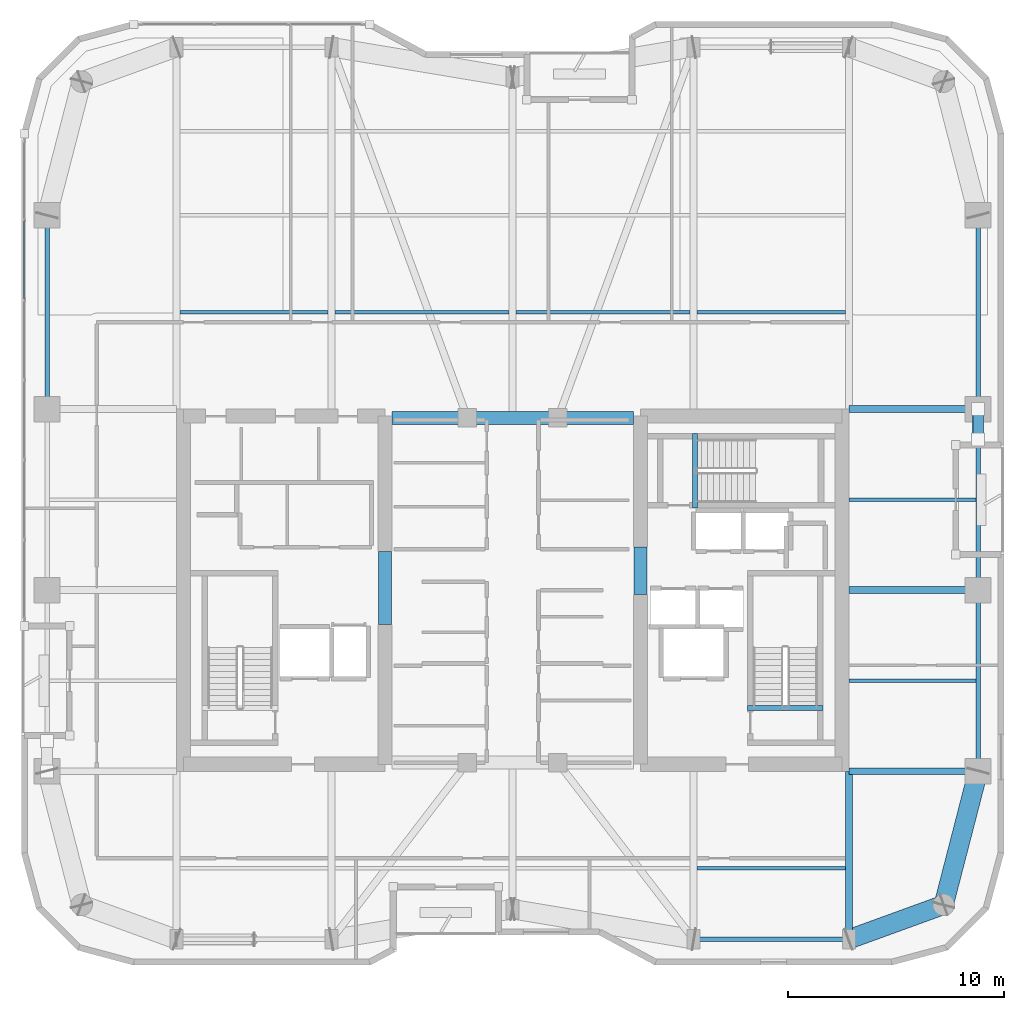
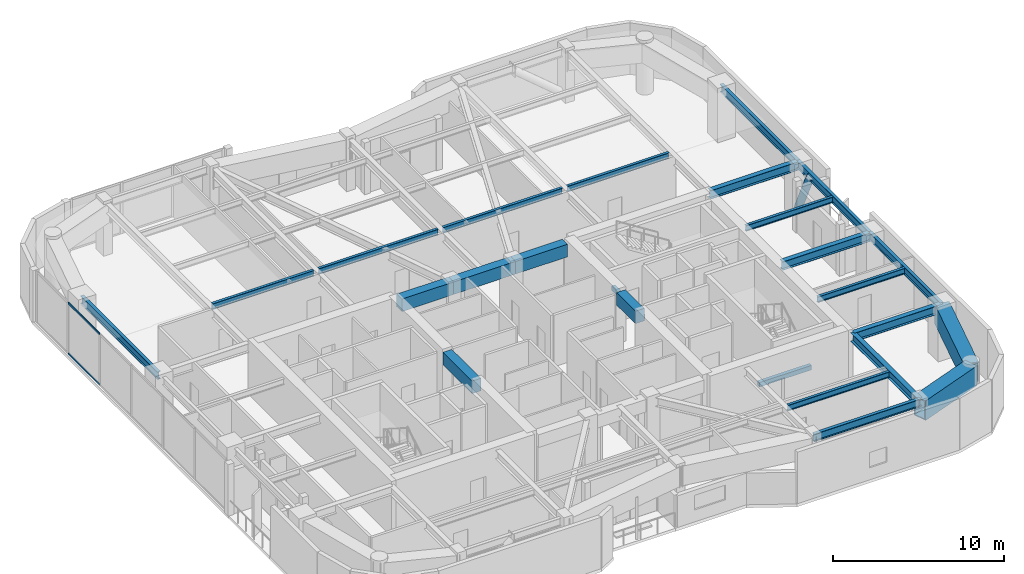
# One storey, part 5 of 21: 25 beams, 3 members, 1 element without a shape of its own.
"""IFC4 building model written with IfcOpenShell, lengths in metres."""

from ifc_helpers import new_model, si_unit, direction, frame, origin, origin_2d, place, context, subcontext, project, spatial, rectangle, hollow_rectangle, hollow_circle, i_section, extrude, material, layer, layer_set, material_profile, profile_set, type_object, element, aggregate, save


model = new_model("IFC4")

# Units and contexts
model_context = context("Model", 3, precision=1e-05, world=origin(), true_north=direction((0.0, 1.0)))
body_context = subcontext(model_context, "Body", "Model", "MODEL_VIEW")
ifc_project = project(units=[si_unit("LENGTHUNIT", "METRE"), si_unit("AREAUNIT", "SQUARE_METRE"), si_unit("VOLUMEUNIT", "CUBIC_METRE"), si_unit("PLANEANGLEUNIT", "RADIAN"), si_unit("MASSUNIT", "GRAM", prefix="KILO")], contexts=[model_context])

# Site, building, storey
site_placement = place(None, origin())
site = spatial("IfcSite", under=ifc_project, at=site_placement, CompositionType="ELEMENT")
building_placement = place(site_placement, origin())
building = spatial("IfcBuilding", under=site, at=building_placement, Name="Kiyonajd Concourse Tower", CompositionType="ELEMENT")
storey_placement = place(building_placement, frame((0.0, 0.0, 227.10009765625)))
storey = spatial("IfcBuildingStorey", under=building, at=storey_placement, Name="L57", CompositionType="ELEMENT", Elevation=227.10009765625)

# Beams
ifc_material_1 = material(Name="Concrete C60/75", Category="concrete")
ifc_material_profile_1 = material_profile(ifc_material_1, rectangle(XDim=0.60009765625, YDim=0.89990234375, at=origin_2d()), Name="RCBM-600x900")
ifc_profile_set_1 = profile_set([ifc_material_profile_1], Name="Concrete C60/75")
beam_type_1 = type_object("IfcBeamType", Name="BM-COUP-900", PredefinedType="LINTEL", material=ifc_profile_set_1)
beam_1_placement = place(storey_placement, frame((42.39990234375, 44.0, 3.22998046875), z_axis=(1.0, 0.0, 0.0), x_axis=(0.0, 1.0, 0.0)))
element("IfcBeam", 1, at=beam_1_placement, inside=storey, type_object=beam_type_1, Name="L57 Core Coupling Beam N1", PredefinedType="LINTEL", context=body_context, shape_type="SweptSolid", body=[
    extrude(rectangle(XDim=0.60009765625, YDim=0.89990234375, at=origin_2d()), origin(), (0.0, 0.0, 1.0), 3.5),
])
beam_2_placement = place(storey_placement, frame((45.89990234375, 44.0, 3.22998046875), z_axis=(1.0, 0.0, 0.0), x_axis=(0.0, 1.0, 0.0)))
element("IfcBeam", 2, at=beam_2_placement, inside=storey, type_object=beam_type_1, Name="L57 Core Coupling Beam N2", PredefinedType="LINTEL", context=body_context, shape_type="SweptSolid", body=[
    extrude(rectangle(XDim=0.60009765625, YDim=0.89990234375, at=origin_2d()), origin(), (0.0, 0.0, 1.0), 4.2001953125),
])
beam_3_placement = place(storey_placement, frame((50.10009765625, 44.0, 3.22998046875), z_axis=(1.0, 0.0, 0.0), x_axis=(0.0, 1.0, 0.0)))
element("IfcBeam", 3, at=beam_3_placement, inside=storey, type_object=beam_type_1, Name="L57 Core Coupling Beam N3", PredefinedType="LINTEL", context=body_context, shape_type="SweptSolid", body=[
    extrude(rectangle(XDim=0.60009765625, YDim=0.89990234375, at=origin_2d()), origin(), (0.0, 0.0, 1.0), 3.5),
])
beam_4_placement = place(storey_placement, frame((42.074951171875, 34.39990234375, 3.22998046875), z_axis=(0.0, 1.0, 0.0), x_axis=(-1.0, 0.0, 0.0)))
element("IfcBeam", 4, at=beam_4_placement, inside=storey, type_object=beam_type_1, Name="L57 West Core Throat Coupling Lintel", PredefinedType="LINTEL", context=body_context, shape_type="SweptSolid", body=[
    extrude(rectangle(XDim=0.60009765625, YDim=0.89990234375, at=origin_2d()), origin(), (0.0, 0.0, 1.0), 3.400146484375),
])
beam_5_placement = place(storey_placement, frame((53.925048828125, 35.800048828125, 3.22998046875), z_axis=(0.0, 1.0, 0.0), x_axis=(-1.0, 0.0, 0.0)))
element("IfcBeam", 5, at=beam_5_placement, inside=storey, type_object=beam_type_1, Name="L57 East Core Throat Coupling Lintel", PredefinedType="LINTEL", context=body_context, shape_type="SweptSolid", body=[
    extrude(rectangle(XDim=0.60009765625, YDim=0.89990234375, at=origin_2d()), origin(), (0.0, 0.0, 1.0), 2.199951171875),
])
ifc_material_2 = material(Name="Steel ASTM A992 Grade 50", Category="steel")
ifc_material_profile_2 = material_profile(ifc_material_2, i_section(OverallWidth=0.180908203125, OverallDepth=0.4169921875, WebThickness=0.010986328125, FlangeThickness=0.018310546875, at=origin_2d()), Name="W410X85")
ifc_profile_set_2 = profile_set([ifc_material_profile_2], Name="Steel ASTM A992 Grade 50")
beam_type_2 = type_object("IfcBeamType", Name="BM-JST-410", PredefinedType="JOIST", material=ifc_profile_set_2)
for number, where, z_axis, x_axis, name in (
    (6, (56.56201171875, 23.10009765625, 3.471435546875), (1.0, 0.0, 0.0), (0.0, 1.0, 0.0), "L57 Secondary Floor Joist"),
    (7, (32.56201171875, 48.89990234375, 3.471435546875), (1.0, 0.0, 0.0), (0.0, 1.0, 0.0), "L57 Secondary Floor Joist"),
):
    element("IfcBeam", number, at=place(storey_placement, frame(where, z_axis=z_axis, x_axis=x_axis)), inside=storey, type_object=beam_type_2, Name=name, PredefinedType="JOIST", context=body_context, shape_type="SweptSolid", body=[
        extrude(i_section(OverallWidth=0.180908203125, OverallDepth=0.4169921875, WebThickness=0.010986328125, FlangeThickness=0.018310546875, at=origin_2d()), origin(), (0.0, 0.0, 1.0), 6.8759765625),
    ])
for number, where, z_axis, x_axis, name in (
    (8, (39.761962890625, 48.89990234375, 3.471435546875), (1.0, 0.0, 0.0), (0.0, 1.0, 0.0), "L57 Secondary Floor Joist"),
    (9, (48.162109375, 48.89990234375, 3.471435546875), (1.0, 0.0, 0.0), (0.0, 1.0, 0.0), "L57 Secondary Floor Joist"),
):
    element("IfcBeam", number, at=place(storey_placement, frame(where, z_axis=z_axis, x_axis=x_axis)), inside=storey, type_object=beam_type_2, Name=name, PredefinedType="JOIST", context=body_context, shape_type="SweptSolid", body=[
        extrude(i_section(OverallWidth=0.180908203125, OverallDepth=0.4169921875, WebThickness=0.010986328125, FlangeThickness=0.018310546875, at=origin_2d()), origin(), (0.0, 0.0, 1.0), 8.075927734375),
    ])
beam_6_placement = place(storey_placement, frame((56.56201171875, 48.89990234375, 3.471435546875), z_axis=(1.0, 0.0, 0.0), x_axis=(0.0, 1.0, 0.0)))
element("IfcBeam", 10, at=beam_6_placement, inside=storey, type_object=beam_type_2, Name="L57 Secondary Floor Joist", PredefinedType="JOIST", context=body_context, shape_type="SweptSolid", body=[
    extrude(i_section(OverallWidth=0.180908203125, OverallDepth=0.4169921875, WebThickness=0.010986328125, FlangeThickness=0.018310546875, at=origin_2d()), origin(), (0.0, 0.0, 1.0), 6.8759765625),
])
for number, where, z_axis, x_axis, name in (
    (11, (63.60009765625, 31.800048828125, 3.471435546875), (1.0, 0.0, 0.0), (0.0, 1.0, 0.0), "L57 East Secondary Floor Joist"),
    (12, (63.60009765625, 40.199951171875, 3.471435546875), (1.0, 0.0, 0.0), (0.0, 1.0, 0.0), "L57 East Secondary Floor Joist"),
):
    element("IfcBeam", number, at=place(storey_placement, frame(where, z_axis=z_axis, x_axis=x_axis)), inside=storey, type_object=beam_type_2, Name=name, PredefinedType="JOIST", context=body_context, shape_type="SweptSolid", body=[
        extrude(i_section(OverallWidth=0.180908203125, OverallDepth=0.4169921875, WebThickness=0.010986328125, FlangeThickness=0.018310546875, at=origin_2d()), origin(), (0.0, 0.0, 1.0), 5.892822265625),
    ])
ifc_material_3 = material(Name="Concrete C50/60", Category="concrete")
ifc_material_profile_3 = material_profile(ifc_material_3, rectangle(XDim=0.239990234375, YDim=0.320068359375, at=origin_2d()), Name="RCBM-240x320")
ifc_profile_set_3 = profile_set([ifc_material_profile_3], Name="Concrete C50/60")
beam_type_3 = type_object("IfcBeamType", Name="BM-LNT-250", PredefinedType="LINTEL", material=ifc_profile_set_3)
beam_7_placement = place(storey_placement, frame((58.889892578125, 30.530029296875, -0.16015625), z_axis=(1.0, 0.0, 0.0), x_axis=(0.0, 1.0, 0.0)))
element("IfcBeam", 13, at=beam_7_placement, inside=storey, type_object=beam_type_3, Name="L57 Stair ST2 Threshold Support Beam", PredefinedType="LINTEL", context=body_context, shape_type="SweptSolid", body=[
    extrude(rectangle(XDim=0.239990234375, YDim=0.320068359375, at=origin_2d()), origin(), (0.0, 0.0, 1.0), 3.52001953125),
])
beam_8_placement = place(storey_placement, frame((56.4599609375, 39.820068359375, -0.16015625), z_axis=(0.0, 1.0, 0.0), x_axis=(-1.0, 0.0, 0.0)))
element("IfcBeam", 14, at=beam_8_placement, inside=storey, type_object=beam_type_3, Name="L57 Stair ST3 Threshold Support Beam", PredefinedType="LINTEL", context=body_context, shape_type="SweptSolid", body=[
    extrude(rectangle(XDim=0.239990234375, YDim=0.320068359375, at=origin_2d()), origin(), (0.0, 0.0, 1.0), 3.4599609375),
])
ifc_material_profile_4 = material_profile(ifc_material_2, i_section(OverallWidth=0.214111328125, OverallDepth=0.549072265625, WebThickness=0.0146484375, FlangeThickness=0.023681640625, at=origin_2d()), Name="W530X138")
ifc_profile_set_4 = profile_set([ifc_material_profile_4], Name="Steel ASTM A992 Grade 50")
beam_type_4 = type_object("IfcBeamType", Name="BM-SPAN-530A", PredefinedType="SPANDREL", material=ifc_profile_set_4)
beam_9_placement = place(storey_placement, frame((56.39990234375, 19.800048828125, 3.405517578125), z_axis=(1.0, 0.0, 0.0), x_axis=(0.0, 1.0, 0.0)))
element("IfcBeam", 15, at=beam_9_placement, inside=storey, type_object=beam_type_4, Name="L57 Perimeter Bundled Tube Spandrel", PredefinedType="SPANDREL", context=body_context, shape_type="SweptSolid", body=[
    extrude(i_section(OverallWidth=0.214111328125, OverallDepth=0.549072265625, WebThickness=0.0146484375, FlangeThickness=0.023681640625, at=origin_2d()), origin(), (0.0, 0.0, 1.0), 7.2001953125),
])
for number, where, z_axis, x_axis, name in (
    (16, (69.60009765625, 27.60009765625, 3.405517578125), (0.0, 1.0, 0.0), (-1.0, 0.0, 0.0), "L57 Perimeter Bundled Tube Spandrel"),
    (17, (69.60009765625, 36.0, 3.405517578125), (0.0, 1.0, 0.0), (-1.0, 0.0, 0.0), "L57 Perimeter Bundled Tube Spandrel"),
):
    element("IfcBeam", number, at=place(storey_placement, frame(where, z_axis=z_axis, x_axis=x_axis)), inside=storey, type_object=beam_type_4, Name=name, PredefinedType="SPANDREL", context=body_context, shape_type="SweptSolid", body=[
        extrude(i_section(OverallWidth=0.214111328125, OverallDepth=0.549072265625, WebThickness=0.0146484375, FlangeThickness=0.023681640625, at=origin_2d()), origin(), (0.0, 0.0, 1.0), 8.39990234375),
    ])
for number, where, z_axis, x_axis, name in (
    (18, (69.60009765625, 44.39990234375, 3.405517578125), (0.0, 1.0, 0.0), (-1.0, 0.0, 0.0), "L57 Perimeter Bundled Tube Spandrel"),
    (19, (26.39990234375, 53.39990234375, 3.405517578125), (0.0, -1.0, 0.0), (1.0, 0.0, 0.0), "L57 Perimeter Bundled Tube Spandrel"),
):
    element("IfcBeam", number, at=place(storey_placement, frame(where, z_axis=z_axis, x_axis=x_axis)), inside=storey, type_object=beam_type_4, Name=name, PredefinedType="SPANDREL", context=body_context, shape_type="SweptSolid", body=[
        extrude(i_section(OverallWidth=0.214111328125, OverallDepth=0.549072265625, WebThickness=0.0146484375, FlangeThickness=0.023681640625, at=origin_2d()), origin(), (0.0, 0.0, 1.0), 9.0),
    ])
ifc_material_profile_5 = material_profile(ifc_material_2, i_section(OverallWidth=0.323974609375, OverallDepth=0.611083984375, WebThickness=0.0126953125, FlangeThickness=0.01904296875, at=origin_2d()), Name="W610X155")
ifc_profile_set_5 = profile_set([ifc_material_profile_5], Name="Steel ASTM A992 Grade 50")
beam_type_5 = type_object("IfcBeamType", Name="BM-TWR-610B", PredefinedType="BEAM", material=ifc_profile_set_5)
beam_10_placement = place(storey_placement, frame((63.60009765625, 19.800048828125, 3.37451171875), z_axis=(0.0, 1.0, 0.0), x_axis=(-1.0, 0.0, 0.0)))
element("IfcBeam", 20, at=beam_10_placement, inside=storey, type_object=beam_type_5, Name="L57 South Lease Girder", PredefinedType="BEAM", context=body_context, shape_type="SweptSolid", body=[
    extrude(i_section(OverallWidth=0.323974609375, OverallDepth=0.611083984375, WebThickness=0.0126953125, FlangeThickness=0.01904296875, at=origin_2d()), origin(), (0.0, 0.0, 1.0), 7.800048828125),
])
for number, where, z_axis, x_axis, name in (
    (21, (63.60009765625, 27.60009765625, 3.37451171875), (1.0, 0.0, 0.0), (0.0, 1.0, 0.0), "L57 East Lease Girder"),
    (22, (63.60009765625, 36.0, 3.37451171875), (1.0, 0.0, 0.0), (0.0, 1.0, 0.0), "L57 East Lease Girder"),
    (23, (63.60009765625, 44.39990234375, 3.37451171875), (1.0, 0.0, 0.0), (0.0, 1.0, 0.0), "L57 East Lease Girder"),
):
    element("IfcBeam", number, at=place(storey_placement, frame(where, z_axis=z_axis, x_axis=x_axis)), inside=storey, type_object=beam_type_5, Name=name, PredefinedType="BEAM", context=body_context, shape_type="SweptSolid", body=[
        extrude(i_section(OverallWidth=0.323974609375, OverallDepth=0.611083984375, WebThickness=0.0126953125, FlangeThickness=0.01904296875, at=origin_2d()), origin(), (0.0, 0.0, 1.0), 6.0),
    ])
ifc_material_4 = material(Name="Steel ASTM A572 Grade 50", Category="steel")
ifc_material_profile_6 = material_profile(ifc_material_4, hollow_rectangle(XDim=0.89990234375, YDim=1.39990234375, WallThickness=0.070068359375, at=origin_2d()), Name="BOX-1400x900x70")
ifc_profile_set_6 = profile_set([ifc_material_profile_6], Name="Steel ASTM A572 Grade 50")
beam_type_6 = type_object("IfcBeamType", Name="BM-XFER-1400", PredefinedType="BEAM", material=ifc_profile_set_6)
beam_11_placement = place(storey_placement, frame((63.60009765625, 19.800048828125, 2.97998046875), z_axis=(0.939801036019, 0.341722127901, 0.0), x_axis=(-0.341722127901, 0.939801036019, 0.0)))
element("IfcBeam", 24, at=beam_11_placement, inside=storey, type_object=beam_type_6, Name="L57 Perimeter Bundled Tube Spandrel", PredefinedType="BEAM", context=body_context, shape_type="SweptSolid", body=[
    extrude(hollow_rectangle(XDim=0.89990234375, YDim=1.39990234375, WallThickness=0.070068359375, at=origin_2d()), origin(), (0.0, 0.0, 1.0), 4.681640625),
])
beam_12_placement = place(storey_placement, frame((68.0, 21.39990234375, 2.97998046875), z_axis=(0.249884937687, 0.968275538221, 0.0), x_axis=(-0.968275538221, 0.249884937687, 0.0)))
element("IfcBeam", 25, at=beam_12_placement, inside=storey, type_object=beam_type_6, Name="L57 Perimeter Bundled Tube Spandrel", PredefinedType="BEAM", context=body_context, shape_type="SweptSolid", body=[
    extrude(hollow_rectangle(XDim=0.89990234375, YDim=1.39990234375, WallThickness=0.070068359375, at=origin_2d()), origin(), (0.0, 0.0, 1.0), 6.4033203125),
])

# Curtain wall, members
ifc_material_5 = material(Name="Thermally Broken Anodised Aluminium", Category="aluminium")
ifc_layer = layer(ifc_material_5, 0.179931640625)
ifc_layer_set = layer_set([ifc_layer], Name="Thermally Broken Anodised Aluminium")
curtain_wall_type = type_object("IfcCurtainWallType", Name="CW-SYS-04", PredefinedType="NOTDEFINED", material=ifc_layer_set)
curtain_wall_placement = place(storey_placement, origin())
curtain_wall = element("IfcCurtainWall", 26, at=curtain_wall_placement, inside=storey, type_object=curtain_wall_type, Name="L57 Unitised Curtain Wall CW4", PredefinedType="NOTDEFINED")
ifc_material_profile_7 = material_profile(ifc_material_5, hollow_rectangle(XDim=0.06494140625, YDim=0.139892578125, WallThickness=0.00390625, at=origin_2d()), Name="TRAN-65x140")
ifc_profile_set_7 = profile_set([ifc_material_profile_7], Name="Thermally Broken Anodised Aluminium")
member_type_1 = type_object("IfcMemberType", Name="MB-CW-TRAN1", PredefinedType="USERDEFINED", material=ifc_profile_set_7)
member_1_placement = place(storey_placement, frame((25.340087890625, 49.503662109375, 0.032470703125), z_axis=(0.0, 1.0, 0.0), x_axis=(-1.0, 0.0, 0.0)))
member_1 = element("IfcMember", 27, at=member_1_placement, type_object=member_type_1, Name="CW4 transom 5.1", ObjectType="TRANSOM", PredefinedType="USERDEFINED", context=body_context, shape_type="SweptSolid", body=[
    extrude(hollow_rectangle(XDim=0.06494140625, YDim=0.139892578125, WallThickness=0.00390625, at=origin_2d()), origin(), (0.0, 0.0, 1.0), 3.645263671875),
])
member_2_placement = place(storey_placement, frame((25.340087890625, 49.503662109375, 3.6474609375), z_axis=(0.0, 1.0, 0.0), x_axis=(-1.0, 0.0, 0.0)))
member_2 = element("IfcMember", 28, at=member_2_placement, type_object=member_type_1, Name="CW4 transom 5.2", ObjectType="TRANSOM", PredefinedType="USERDEFINED", context=body_context, shape_type="SweptSolid", body=[
    extrude(hollow_rectangle(XDim=0.06494140625, YDim=0.139892578125, WallThickness=0.00390625, at=origin_2d()), origin(), (0.0, 0.0, 1.0), 3.645263671875),
])
aggregate(curtain_wall, [member_1, member_2])

# Member
ifc_material_6 = material(Name="Steel ASTM A500 Grade C", Category="steel")
ifc_material_profile_8 = material_profile(ifc_material_6, hollow_circle(Radius=0.25390625, WallThickness=0.02197265625, at=origin_2d()), Name="CHS-508x22")
ifc_profile_set_8 = profile_set([ifc_material_profile_8], Name="Steel ASTM A500 Grade C")
member_type_2 = type_object("IfcMemberType", Name="MB-PB-MID", PredefinedType="BRACE", material=ifc_profile_set_8)
member_3_placement = place(storey_placement, frame((69.60009765625, 44.39990234375, 0.2998046875), z_axis=(0.0, -0.419410666774, 0.907796614114), x_axis=(1.0, 0.0, 0.0)))
element("IfcMember", 29, at=member_3_placement, inside=storey, type_object=member_type_2, Name="L57 Upper Zone Hollow Tube Brace PBE", PredefinedType="BRACE", context=body_context, shape_type="SweptSolid", body=[
    extrude(hollow_circle(Radius=0.25390625, WallThickness=0.02197265625, at=origin_2d()), origin(), (0.0, 0.0, 1.0), 3.337890625),
])

save(model, "model.ifc")
